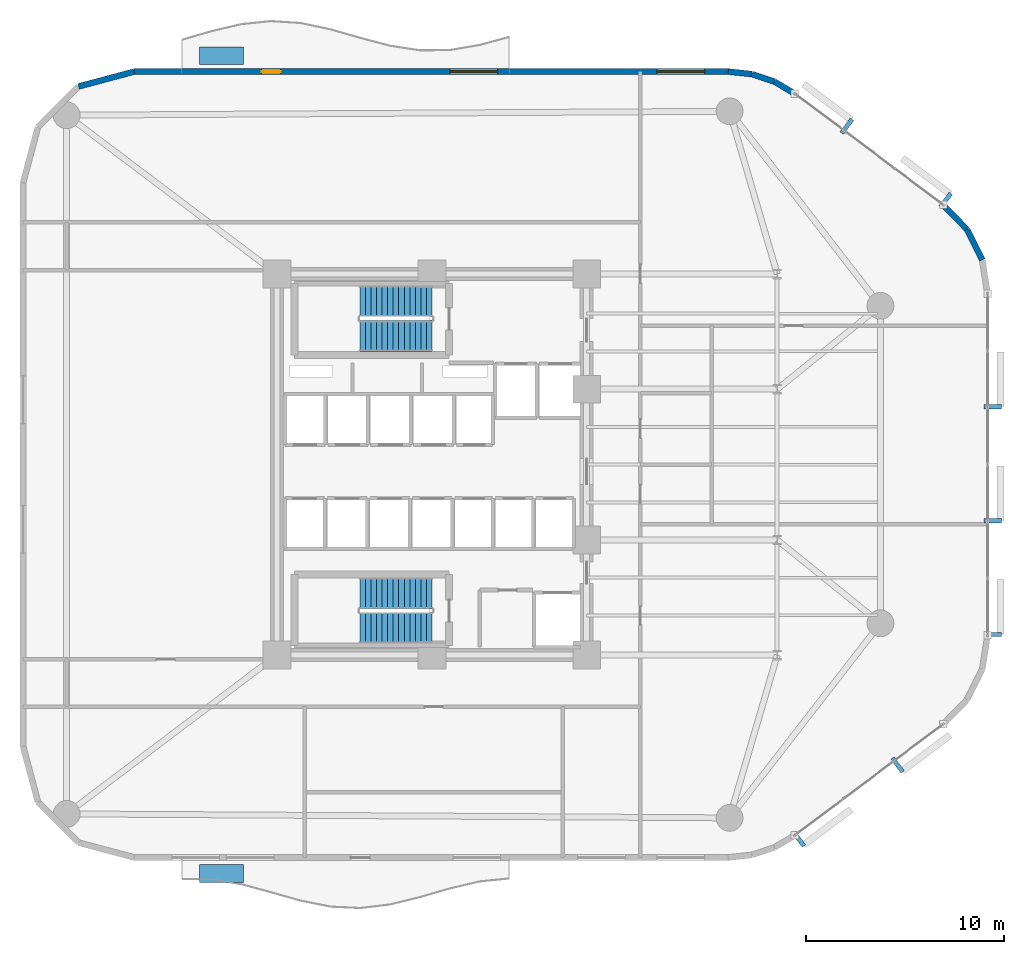
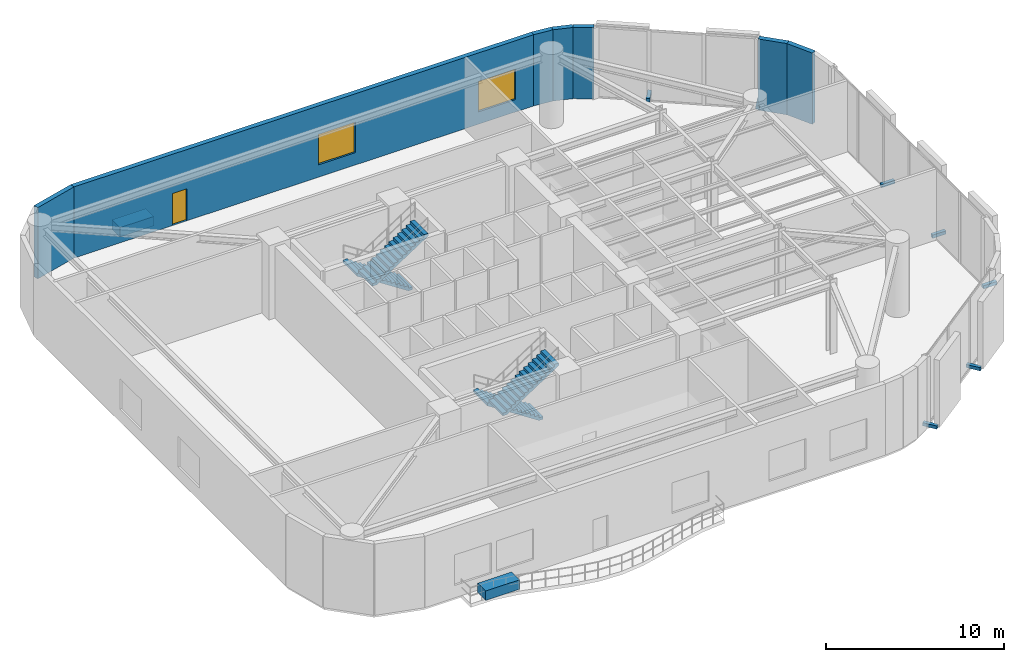
# One storey, part 12 of 14: 9 discrete accessories, 7 walls, 4 stair flights, 2 windows, 1 door, 3 openings, 2 elements without a shape of their own.
"""IFC4 building model written with IfcOpenShell, lengths in metres."""

import ifcopenshell
import ifcopenshell.guid

model = None  # the IFC model being written
_history = None  # IfcOwnerHistory: only IFC2X3 demands one
_inside = {}  # id of a spatial element -> (the spatial element, [elements in it])
_under = {}  # id of a project, library or spatial element -> (it, [spatial elements below it])
_declared = {}  # id of a project -> (the project, [libraries it declares])
_typed = {}  # id of a type object -> (the type object, [elements of that type])
_made_of = {}  # id of a material, layer set ... -> (it, [elements and type objects made of it])


def new_model(schema):
    """Start an empty IFC model of exactly this schema.

    Asked for "IFC4X3", IfcOpenShell would pick the latest addendum, in which some entities
    have other attributes; the version numbers below select the first issue.
    IFC2X3 requires an IfcOwnerHistory on every rooted entity: one is made here for all.
    """
    global model, _history
    if schema == "IFC4X3":
        model = ifcopenshell.file(schema_version=(4, 3, 0, 0))
    else:
        model = ifcopenshell.file(schema=schema)
    _inside.clear()
    _under.clear()
    _declared.clear()
    _typed.clear()
    _made_of.clear()
    _history = None
    if model.schema == "IFC2X3":
        org = make("IfcOrganization", Name="unknown")
        user = make(
            "IfcPersonAndOrganization",
            ThePerson=make("IfcPerson", FamilyName="unknown"),
            TheOrganization=org,
        )
        app = make(
            "IfcApplication",
            ApplicationDeveloper=org,
            Version="unknown",
            ApplicationFullName="unknown",
            ApplicationIdentifier="unknown",
        )
        _history = make(
            "IfcOwnerHistory",
            OwningUser=user,
            OwningApplication=app,
            ChangeAction="ADDED",
            CreationDate=0,
        )
    return model


def make(cls, **values):
    """One entity of the class cls with the attributes given. An attribute that is None is left unset."""
    return model.create_entity(
        cls, **{name: value for name, value in values.items() if value is not None}
    )


def rooted(cls, **values):
    """An entity with a GlobalId (a new one), such as an element, a storey or a relation."""
    return make(cls, GlobalId=ifcopenshell.guid.new(), OwnerHistory=_history, **values)


def si_unit(unit_type, name, prefix=None):
    """IfcSIUnit, for example si_unit("LENGTHUNIT", "METRE", prefix="MILLI")."""
    return make("IfcSIUnit", UnitType=unit_type, Prefix=prefix, Name=name)


def assignment(units):
    """IfcUnitAssignment: the units of a project."""
    return None if units is None else make("IfcUnitAssignment", Units=units)


def point(xyz):
    """IfcCartesianPoint."""
    return None if xyz is None else make("IfcCartesianPoint", Coordinates=xyz)


def direction(xyz):
    """IfcDirection."""
    return None if xyz is None else make("IfcDirection", DirectionRatios=xyz)


def frame(location, z_axis=None, x_axis=None):
    """IfcAxis2Placement3D, a coordinate frame: its origin and axes. An axis left out is left unset."""
    return make(
        "IfcAxis2Placement3D",
        Location=point(location),
        Axis=direction(z_axis),
        RefDirection=direction(x_axis),
    )


def frame_2d(location, x_axis=None):
    """IfcAxis2Placement2D, a coordinate frame in the plane: its origin and x axis."""
    return make(
        "IfcAxis2Placement2D", Location=point(location), RefDirection=direction(x_axis)
    )


def origin():
    """The frame at (0, 0, 0) with its axes left unset."""
    return frame((0.0, 0.0, 0.0))


def origin_2d():
    """The frame at (0, 0) in the plane with its x axis left unset."""
    return frame_2d((0.0, 0.0))


def place(relative_to, where):
    """IfcLocalPlacement: puts the frame where relative to a parent placement (None: the world)."""
    return make(
        "IfcLocalPlacement", PlacementRelTo=relative_to, RelativePlacement=where
    )


def context(
    kind, dimensions, precision=None, world=None, true_north=None, identifier=None
):
    """IfcGeometricRepresentationContext, for example the 3D "Model" context."""
    return make(
        "IfcGeometricRepresentationContext",
        ContextIdentifier=identifier,
        ContextType=kind,
        CoordinateSpaceDimension=dimensions,
        Precision=precision,
        WorldCoordinateSystem=world,
        TrueNorth=true_north,
    )


def subcontext(parent, identifier, kind, view, scale=None):
    """IfcGeometricRepresentationSubContext, for example "Body" below "Model"."""
    return make(
        "IfcGeometricRepresentationSubContext",
        ContextIdentifier=identifier,
        ContextType=kind,
        ParentContext=parent,
        TargetScale=scale,
        TargetView=view,
    )


def project(units=None, contexts=None):
    """IfcProject with its units and contexts."""
    return rooted(
        "IfcProject",
        Name="project",
        RepresentationContexts=contexts,
        UnitsInContext=assignment(units),
    )


def spatial(cls, under=None, at=None, **own):
    """A site, building, storey or space (cls), placed at a placement, below another one or the project."""
    s = rooted(cls, ObjectPlacement=at, **own)
    if under is not None:
        _under.setdefault(under.id(), (under, []))[1].append(s)
    return s


def polyline(points):
    """IfcPolyline through the points."""
    return make("IfcPolyline", Points=[point(p) for p in points])


def profile(cls, at=None, kind="AREA", **sizes):
    """A parametric profile (cls). Its sizes go by their IFC names, for example OverallWidth=200.0."""
    return make(cls, ProfileType=kind, Position=at, **sizes)


def rectangle(**sizes):
    """IfcRectangleProfileDef."""
    return profile("IfcRectangleProfileDef", **sizes)


def outline(outer, holes=None, kind="AREA"):
    """IfcArbitraryClosedProfileDef: a profile drawn as a closed curve; with holes, ...WithVoids."""
    if holes is None:
        return make("IfcArbitraryClosedProfileDef", ProfileType=kind, OuterCurve=outer)
    return make(
        "IfcArbitraryProfileDefWithVoids",
        ProfileType=kind,
        OuterCurve=outer,
        InnerCurves=holes,
    )


def extrude(swept, where, along, depth):
    """IfcExtrudedAreaSolid: the profile swept, set in the frame where, extruded along a direction by depth."""
    return make(
        "IfcExtrudedAreaSolid",
        SweptArea=swept,
        Position=where,
        ExtrudedDirection=direction(along),
        Depth=depth,
    )


def shape(context_of_items, identifier, shape_type, items):
    """IfcShapeRepresentation: the items that make up one representation, for example the "Body"."""
    return make(
        "IfcShapeRepresentation",
        ContextOfItems=context_of_items,
        RepresentationIdentifier=identifier,
        RepresentationType=shape_type,
        Items=items,
    )


def material(Name=None, Category=None):
    """IfcMaterial."""
    return make("IfcMaterial", Name=Name, Category=Category)


def layer(
    of_material, thickness, ventilated=None, Name=None, Category=None, Priority=None
):
    """IfcMaterialLayer: one layer of a wall or slab, of a material (None: an air gap)."""
    return make(
        "IfcMaterialLayer",
        Material=of_material,
        LayerThickness=thickness,
        IsVentilated=ventilated,
        Name=Name,
        Category=Category,
        Priority=Priority,
    )


def layer_set(layers, Name=None):
    """IfcMaterialLayerSet."""
    return make("IfcMaterialLayerSet", MaterialLayers=layers, LayerSetName=Name)


def made_of(thing, what):
    """Note that an element or type object is made of a material, layer set ...; save() writes the relation."""
    if what is not None:
        _made_of.setdefault(what.id(), (what, []))[1].append(thing)
    return thing


def type_object(cls, material=None, **own):
    """A type object (cls), such as IfcWallType, which elements share."""
    return made_of(rooted(cls, **own), material)


def element(
    cls,
    number,
    at=None,
    inside=None,
    cuts=None,
    type_object=None,
    material=None,
    context=None,
    identifier="Body",
    shape_type=None,
    held_by="IfcProductDefinitionShape",
    body=None,
    shapes=None,
    **own,
):
    """One element of the class cls, such as IfcWall. Its Tag is "e" and its number.

    at: its placement. inside: the storey or other place that contains it. cuts: it is an
    opening in that element (IfcRelVoidsElement). A single representation is given by context,
    identifier, shape_type and body (its items); several are given by shapes. held_by: the class
    of the entity that holds the representations. save() writes the other relations.
    """
    e = rooted(cls, Tag="e%d" % number, ObjectPlacement=at, **own)
    if body is not None:
        shapes = [shape(context, identifier, shape_type, body)]
    if shapes is not None:
        e.Representation = make(held_by, Representations=shapes)
    if inside is not None:
        _inside.setdefault(inside.id(), (inside, []))[1].append(e)
    if cuts is not None:
        rooted(
            "IfcRelVoidsElement", RelatingBuildingElement=cuts, RelatedOpeningElement=e
        )
    if type_object is not None:
        _typed.setdefault(type_object.id(), (type_object, []))[1].append(e)
    return made_of(e, material)


def fill(opening, filler):
    """IfcRelFillsElement: the door or window that sits in an opening."""
    return rooted(
        "IfcRelFillsElement",
        RelatingOpeningElement=opening,
        RelatedBuildingElement=filler,
    )


def aggregate(whole, parts):
    """IfcRelAggregates: a whole, such as a stair, and the parts it consists of."""
    return rooted("IfcRelAggregates", RelatingObject=whole, RelatedObjects=parts)


def save(model, path):
    """Write the relations noted so far, then the file.

    IfcRelAggregates (storeys below a building ...), IfcRelContainedInSpatialStructure (elements
    in a storey), IfcRelDefinesByType, IfcRelAssociatesMaterial and IfcRelDeclares: one each for
    every whole, place, type object, material and project.
    """
    for whole, parts in _under.values():
        aggregate(whole, parts)
    for where, things in _inside.values():
        rooted(
            "IfcRelContainedInSpatialStructure",
            RelatedElements=things,
            RelatingStructure=where,
        )
    for kind, things in _typed.values():
        rooted("IfcRelDefinesByType", RelatedObjects=things, RelatingType=kind)
    for what, things in _made_of.values():
        rooted("IfcRelAssociatesMaterial", RelatedObjects=things, RelatingMaterial=what)
    for by, libraries in _declared.values():
        rooted("IfcRelDeclares", RelatingContext=by, RelatedDefinitions=libraries)
    model.write(path)


model = new_model("IFC4")

# Units and contexts
model_context = context("Model", 3, precision=1e-05, world=origin(), true_north=direction((0.0, 1.0)))
body_context = subcontext(model_context, "Body", "Model", "MODEL_VIEW")
ifc_project = project(units=[si_unit("LENGTHUNIT", "METRE"), si_unit("AREAUNIT", "SQUARE_METRE"), si_unit("VOLUMEUNIT", "CUBIC_METRE"), si_unit("PLANEANGLEUNIT", "RADIAN"), si_unit("MASSUNIT", "GRAM", prefix="KILO")], contexts=[model_context])

# Site, building, storey
site_placement = place(None, origin())
site = spatial("IfcSite", under=ifc_project, at=site_placement, CompositionType="ELEMENT")
building_placement = place(site_placement, origin())
building = spatial("IfcBuilding", under=site, at=building_placement, Name="An Khanh Terracotta Commons", CompositionType="ELEMENT")
storey_placement = place(building_placement, frame((0.0, 0.0, 81.199951171875)))
storey = spatial("IfcBuildingStorey", under=building, at=storey_placement, Name="L21", CompositionType="ELEMENT", Elevation=81.199951171875)

# Walls
ifc_material_1 = material(Name="Precast concrete C40/50", Category="concrete")
ifc_layer = layer(ifc_material_1, 0.300048828125, Name="Precast concrete C40/50")
ifc_layer_set = layer_set([ifc_layer], Name="Precast concrete C40/50")
wall_type = type_object("IfcWallType", Name="WALL-EXT-300", PredefinedType="SOLIDWALL", material=ifc_layer_set)
for number, where, z_axis, x_axis, name in (
    (1, (57.135009765625, 34.303955078125, 0.0), (0.0, 0.0, 1.0), (-0.4472135955, 0.894427191, 0.0), "L21 Insulated Terracotta Exterior Wall 14"),
    (2, (56.364013671875, 35.845947265625, 0.0), (0.0, 0.0, 1.0), (-0.6983450845, 0.715761233201, 0.0), "L21 Insulated Terracotta Exterior Wall 15"),
):
    element("IfcWall", number, at=place(storey_placement, frame(where, z_axis=z_axis, x_axis=x_axis)), inside=storey, type_object=wall_type, Name=name, PredefinedType="SOLIDWALL", context=body_context, shape_type="SweptSolid", body=[
        extrude(rectangle(XDim=1.72412109375, YDim=0.300048828125, at=frame_2d((0.862060546875, 0.0))), origin(), (0.0, 0.0, 1.0), 4.900146484375),
    ])
wall_1_placement = place(storey_placement, frame((47.693115234375, 42.679931640625, 0.0), z_axis=(0.0, 0.0, 1.0), x_axis=(-0.859320591642, 0.511437308749, 0.0)))
element("IfcWall", 3, at=wall_1_placement, inside=storey, type_object=wall_type, Name="L21 Insulated Terracotta Exterior Wall 17", PredefinedType="SOLIDWALL", context=body_context, shape_type="SweptSolid", body=[
    extrude(rectangle(XDim=1.19873046875, YDim=0.300048828125, at=frame_2d((0.599365234375, 0.0))), origin(), (0.0, 0.0, 1.0), 4.900146484375),
])
wall_2_placement = place(storey_placement, frame((46.6630859375, 43.29296875, 0.0), z_axis=(0.0, 0.0, 1.0), x_axis=(-0.948744332129, 0.316044604847, 0.0)))
element("IfcWall", 4, at=wall_2_placement, inside=storey, type_object=wall_type, Name="L21 Insulated Terracotta Exterior Wall 18", PredefinedType="SOLIDWALL", context=body_context, shape_type="SweptSolid", body=[
    extrude(rectangle(XDim=1.19970703125, YDim=0.300048828125, at=frame_2d((0.599853515625, 0.0))), origin(), (0.0, 0.0, 1.0), 4.900146484375),
])
wall_3_placement = place(storey_placement, frame((45.52490234375, 43.672119140625, 0.0), z_axis=(0.0, 0.0, 1.0), x_axis=(-0.994289103787, 0.106720092254, 0.0)))
element("IfcWall", 5, at=wall_3_placement, inside=storey, type_object=wall_type, Name="L21 Insulated Terracotta Exterior Wall 19", PredefinedType="SOLIDWALL", context=body_context, shape_type="SweptSolid", body=[
    extrude(rectangle(XDim=1.19873046875, YDim=0.300048828125, at=frame_2d((0.599365234375, 0.0))), origin(), (0.0, 0.0, 1.0), 4.900146484375),
])

# Wall, openings, door, windows
wall_4_placement = place(storey_placement, frame((44.3330078125, 43.800048828125, 0.0), z_axis=(0.0, 0.0, 1.0), x_axis=(-1.0, 0.0, 0.0)))
wall_4 = element("IfcWall", 6, at=wall_4_placement, inside=storey, type_object=wall_type, Name="L21 Insulated Terracotta Exterior Wall 20", PredefinedType="SOLIDWALL", context=body_context, shape_type="SweptSolid", body=[
    extrude(rectangle(XDim=29.93310546875, YDim=0.300048828125, at=frame_2d((14.966552734375, 0.0))), origin(), (0.0, 0.0, 1.0), 4.900146484375),
])
opening_1_placement = place(wall_4_placement, frame((22.55810546875, 0.0, 0.0)))
opening_1 = element("IfcOpeningElement", 7, at=opening_1_placement, cuts=wall_4, Name="Opening D-BAL", PredefinedType="OPENING", context=body_context, shape_type="SweptSolid", body=[
    extrude(rectangle(XDim=0.949951171875, YDim=2.199951171875, at=frame_2d((0.47509765625, 1.10009765625))), frame((0.0, 0.159912109375, 0.0), z_axis=(0.0, -1.0, 0.0), x_axis=(1.0, 0.0, 0.0)), (0.0, 0.0, 1.0), 0.320068359375),
])
opening_2_placement = place(wall_4_placement, frame((1.19189453125, 0.0, 0.85009765625)))
opening_2 = element("IfcOpeningElement", 8, at=opening_2_placement, cuts=wall_4, Name="Opening W-07", PredefinedType="OPENING", context=body_context, shape_type="SweptSolid", body=[
    extrude(rectangle(XDim=2.39990234375, YDim=2.10009765625, at=frame_2d((1.199951171875, 1.050048828125))), frame((0.0, 0.159912109375, 0.0), z_axis=(0.0, -1.0, 0.0), x_axis=(1.0, 0.0, 0.0)), (0.0, 0.0, 1.0), 0.320068359375),
])
opening_3_placement = place(wall_4_placement, frame((11.615966796875, 0.0, 0.85009765625)))
opening_3 = element("IfcOpeningElement", 9, at=opening_3_placement, cuts=wall_4, Name="Opening W-07", PredefinedType="OPENING", context=body_context, shape_type="SweptSolid", body=[
    extrude(rectangle(XDim=2.39990234375, YDim=2.10009765625, at=frame_2d((1.199951171875, 1.050048828125))), frame((0.0, 0.159912109375, 0.0), z_axis=(0.0, -1.0, 0.0), x_axis=(1.0, 0.0, 0.0)), (0.0, 0.0, 1.0), 0.320068359375),
])
ifc_material_2 = material(Name="Thermally Broken Aluminium and Low-E Glass", Category="aluminium")
door_type = type_object("IfcDoorType", Name="DOOR-BALC-950", OperationType="NOTDEFINED", PredefinedType="DOOR", material=ifc_material_2)
door_placement = place(opening_1_placement, origin())
door = element("IfcDoor", 10, at=door_placement, inside=storey, type_object=door_type, Name="L21 N Wave Balcony Glazed Door", OperationType="SINGLE_SWING_RIGHT", OverallHeight=2.199951171875, OverallWidth=0.949951171875, PredefinedType="DOOR", context=body_context, shape_type="SweptSolid", body=[
    extrude(rectangle(XDim=0.949951171875, YDim=2.199951171875, at=frame_2d((0.47509765625, 1.10009765625))), frame((0.0, 0.02490234375, 0.0), z_axis=(0.0, -1.0, 0.0), x_axis=(1.0, 0.0, 0.0)), (0.0, 0.0, 1.0), 0.050048828125),
])
fill(opening_1, door)
window_type = type_object("IfcWindowType", Name="WIN-SKY-2400x2100", PartitioningType="TRIPLE_PANEL_VERTICAL", PredefinedType="WINDOW", material=ifc_material_2)
window_1_placement = place(opening_2_placement, origin())
window_1 = element("IfcWindow", 11, at=window_1_placement, inside=storey, type_object=window_type, Name="L21 Operable Casement Window 20.1", OverallHeight=2.10009765625, OverallWidth=2.39990234375, PartitioningType="TRIPLE_PANEL_VERTICAL", PredefinedType="WINDOW", context=body_context, shape_type="SweptSolid", body=[
    extrude(rectangle(XDim=2.39990234375, YDim=2.10009765625, at=frame_2d((1.199951171875, 1.050048828125))), frame((0.0, 0.030029296875, 0.0), z_axis=(0.0, -1.0, 0.0), x_axis=(1.0, 0.0, 0.0)), (0.0, 0.0, 1.0), 0.06005859375),
])
fill(opening_2, window_1)
window_2_placement = place(opening_3_placement, origin())
window_2 = element("IfcWindow", 12, at=window_2_placement, inside=storey, type_object=window_type, Name="L21 Operable Casement Window 20.2", OverallHeight=2.10009765625, OverallWidth=2.39990234375, PartitioningType="TRIPLE_PANEL_VERTICAL", PredefinedType="WINDOW", context=body_context, shape_type="SweptSolid", body=[
    extrude(rectangle(XDim=2.39990234375, YDim=2.10009765625, at=frame_2d((1.199951171875, 1.050048828125))), frame((0.0, 0.030029296875, 0.0), z_axis=(0.0, -1.0, 0.0), x_axis=(1.0, 0.0, 0.0)), (0.0, 0.0, 1.0), 0.06005859375),
])
fill(opening_3, window_2)

# Wall
wall_5_placement = place(storey_placement, frame((14.39990234375, 43.800048828125, 0.0), z_axis=(0.0, 0.0, 1.0), x_axis=(-0.965943540406, -0.258752926066, 0.0)))
element("IfcWall", 13, at=wall_5_placement, inside=storey, type_object=wall_type, Name="L21 Insulated Terracotta Exterior Wall 21", PredefinedType="SOLIDWALL", context=body_context, shape_type="SweptSolid", body=[
    extrude(rectangle(XDim=2.8984375, YDim=0.300048828125, at=frame_2d((1.44921875, 0.0))), origin(), (0.0, 0.0, 1.0), 4.900146484375),
])

# Stair, stair flights
stair_type = type_object("IfcStairType", Name="STAIR-CORE-1550", PredefinedType="HALF_TURN_STAIR", material=ifc_material_1)
stair_1_placement = place(storey_placement, origin())
stair_1 = element("IfcStair", 14, at=stair_1_placement, inside=storey, type_object=stair_type, Name="L21 Core Smokeproof Exit Stair ST-01", PredefinedType="HALF_TURN_STAIR")
stair_flight_type = type_object("IfcStairFlightType", Name="FLIGHT-CORE-1550", PredefinedType="STRAIGHT", material=ifc_material_1)
stair_flight_1_placement = place(storey_placement, frame((29.409912109375, 32.22509765625, 0.0), z_axis=(0.0, 0.0, 1.0), x_axis=(-1.0, 0.0, 0.0)))
stair_flight_1 = element("IfcStairFlight", 15, at=stair_flight_1_placement, type_object=stair_flight_type, Name="ST-01 flight 1", NumberOfRisers=14, NumberOfTreads=13, PredefinedType="STRAIGHT", RiserHeight=0.182142857, TreadLength=0.28, context=body_context, shape_type="SweptSolid", body=[
    extrude(outline(polyline([(0.0, 0.0), (0.0, 0.18212890625), (0.280029296875, 0.18212890625), (0.280029296875, 0.3642578125), (0.56005859375, 0.3642578125), (0.56005859375, 0.54638671875), (0.840087890625, 0.54638671875), (0.840087890625, 0.728515625), (1.1201171875, 0.728515625), (1.1201171875, 0.91064453125), (1.39990234375, 0.91064453125), (1.39990234375, 1.0927734375), (1.679931640625, 1.0927734375), (1.679931640625, 1.27490234375), (1.9599609375, 1.27490234375), (1.9599609375, 1.45703125), (2.239990234375, 1.45703125), (2.239990234375, 1.639404296875), (2.52001953125, 1.639404296875), (2.52001953125, 1.821533203125), (2.800048828125, 1.821533203125), (2.800048828125, 2.003662109375), (3.080078125, 2.003662109375), (3.080078125, 2.185791015625), (3.360107421875, 2.185791015625), (3.360107421875, 2.367919921875), (3.639892578125, 2.367919921875), (3.639892578125, 2.550048828125), (3.639892578125, 2.18896484375), (0.27490234375, 0.0), (0.0, 0.0)])), frame((0.0, 0.77490234375, 0.0), z_axis=(0.0, -1.0, 0.0), x_axis=(1.0, 0.0, 0.0)), (0.0, 0.0, 1.0), 1.550048828125),
])
stair_flight_2_placement = place(storey_placement, frame((25.77001953125, 30.47509765625, 2.550048828125), z_axis=(0.0, 0.0, 1.0), x_axis=(1.0, 0.0, 0.0)))
stair_flight_2 = element("IfcStairFlight", 16, at=stair_flight_2_placement, type_object=stair_flight_type, Name="ST-01 flight 2", NumberOfRisers=14, NumberOfTreads=13, PredefinedType="STRAIGHT", RiserHeight=0.182142857, TreadLength=0.28, context=body_context, shape_type="SweptSolid", body=[
    extrude(outline(polyline([(0.0, 0.0), (0.0, 0.18212890625), (0.280029296875, 0.18212890625), (0.280029296875, 0.3642578125), (0.56005859375, 0.3642578125), (0.56005859375, 0.54638671875), (0.840087890625, 0.54638671875), (0.840087890625, 0.728515625), (1.1201171875, 0.728515625), (1.1201171875, 0.91064453125), (1.39990234375, 0.91064453125), (1.39990234375, 1.0927734375), (1.679931640625, 1.0927734375), (1.679931640625, 1.27490234375), (1.9599609375, 1.27490234375), (1.9599609375, 1.45703125), (2.239990234375, 1.45703125), (2.239990234375, 1.639404296875), (2.52001953125, 1.639404296875), (2.52001953125, 1.821533203125), (2.800048828125, 1.821533203125), (2.800048828125, 2.003662109375), (3.080078125, 2.003662109375), (3.080078125, 2.185791015625), (3.360107421875, 2.185791015625), (3.360107421875, 2.367919921875), (3.639892578125, 2.367919921875), (3.639892578125, 2.550048828125), (3.639892578125, 2.18896484375), (0.27490234375, 0.0), (0.0, 0.0)])), frame((0.0, 0.77490234375, 0.0), z_axis=(0.0, -1.0, 0.0), x_axis=(1.0, 0.0, 0.0)), (0.0, 0.0, 1.0), 1.550048828125),
])
aggregate(stair_1, [stair_flight_1, stair_flight_2])

stair_2_placement = place(storey_placement, origin())
stair_2 = element("IfcStair", 17, at=stair_2_placement, inside=storey, type_object=stair_type, Name="L21 Core Smokeproof Exit Stair ST-02", PredefinedType="HALF_TURN_STAIR")
stair_flight_3_placement = place(storey_placement, frame((29.409912109375, 17.52490234375, 0.0), z_axis=(0.0, 0.0, 1.0), x_axis=(-1.0, 0.0, 0.0)))
stair_flight_3 = element("IfcStairFlight", 18, at=stair_flight_3_placement, type_object=stair_flight_type, Name="ST-02 flight 1", NumberOfRisers=14, NumberOfTreads=13, PredefinedType="STRAIGHT", RiserHeight=0.182142857, TreadLength=0.28, context=body_context, shape_type="SweptSolid", body=[
    extrude(outline(polyline([(0.0, 0.0), (0.0, 0.18212890625), (0.280029296875, 0.18212890625), (0.280029296875, 0.3642578125), (0.56005859375, 0.3642578125), (0.56005859375, 0.54638671875), (0.840087890625, 0.54638671875), (0.840087890625, 0.728515625), (1.1201171875, 0.728515625), (1.1201171875, 0.91064453125), (1.39990234375, 0.91064453125), (1.39990234375, 1.0927734375), (1.679931640625, 1.0927734375), (1.679931640625, 1.27490234375), (1.9599609375, 1.27490234375), (1.9599609375, 1.45703125), (2.239990234375, 1.45703125), (2.239990234375, 1.639404296875), (2.52001953125, 1.639404296875), (2.52001953125, 1.821533203125), (2.800048828125, 1.821533203125), (2.800048828125, 2.003662109375), (3.080078125, 2.003662109375), (3.080078125, 2.185791015625), (3.360107421875, 2.185791015625), (3.360107421875, 2.367919921875), (3.639892578125, 2.367919921875), (3.639892578125, 2.550048828125), (3.639892578125, 2.18896484375), (0.27490234375, 0.0), (0.0, 0.0)])), frame((0.0, 0.77490234375, 0.0), z_axis=(0.0, -1.0, 0.0), x_axis=(1.0, 0.0, 0.0)), (0.0, 0.0, 1.0), 1.550048828125),
])
stair_flight_4_placement = place(storey_placement, frame((25.77001953125, 15.77490234375, 2.550048828125), z_axis=(0.0, 0.0, 1.0), x_axis=(1.0, 0.0, 0.0)))
stair_flight_4 = element("IfcStairFlight", 19, at=stair_flight_4_placement, type_object=stair_flight_type, Name="ST-02 flight 2", NumberOfRisers=14, NumberOfTreads=13, PredefinedType="STRAIGHT", RiserHeight=0.182142857, TreadLength=0.28, context=body_context, shape_type="SweptSolid", body=[
    extrude(outline(polyline([(0.0, 0.0), (0.0, 0.18212890625), (0.280029296875, 0.18212890625), (0.280029296875, 0.3642578125), (0.56005859375, 0.3642578125), (0.56005859375, 0.54638671875), (0.840087890625, 0.54638671875), (0.840087890625, 0.728515625), (1.1201171875, 0.728515625), (1.1201171875, 0.91064453125), (1.39990234375, 0.91064453125), (1.39990234375, 1.0927734375), (1.679931640625, 1.0927734375), (1.679931640625, 1.27490234375), (1.9599609375, 1.27490234375), (1.9599609375, 1.45703125), (2.239990234375, 1.45703125), (2.239990234375, 1.639404296875), (2.52001953125, 1.639404296875), (2.52001953125, 1.821533203125), (2.800048828125, 1.821533203125), (2.800048828125, 2.003662109375), (3.080078125, 2.003662109375), (3.080078125, 2.185791015625), (3.360107421875, 2.185791015625), (3.360107421875, 2.367919921875), (3.639892578125, 2.367919921875), (3.639892578125, 2.550048828125), (3.639892578125, 2.18896484375), (0.27490234375, 0.0), (0.0, 0.0)])), frame((0.0, 0.77490234375, 0.0), z_axis=(0.0, -1.0, 0.0), x_axis=(1.0, 0.0, 0.0)), (0.0, 0.0, 1.0), 1.550048828125),
])
aggregate(stair_2, [stair_flight_3, stair_flight_4])

# Discrete accessories
ifc_material_3 = material(Name="Stainless Steel Grade 316L", Category="steel")
discrete_accessory_type_1 = type_object("IfcDiscreteAccessoryType", Name="Stainless Outrigger Facade Bracket", PredefinedType="BRACKET", material=ifc_material_3)
for number, where, z_axis, x_axis, name in (
    (20, (47.884033203125, 5.132080078125, 0.06982421875), (0.0, 0.0, 1.0), (0.800012856594, 0.599982857492, 0.0), "L21 Terracotta Screen Outrigger Bracket 1"),
    (21, (52.862060546875, 8.864990234375, 0.06982421875), (0.0, 0.0, 1.0), (0.800012856594, 0.599982857492, 0.0), "L21 Terracotta Screen Outrigger Bracket 3"),
    (22, (57.6650390625, 15.43994140625, 0.06982421875), (0.0, 0.0, 1.0), (0.0, 1.0, 0.0), "L21 Terracotta Screen Outrigger Bracket 1"),
    (23, (57.6650390625, 21.173095703125, 0.06982421875), (0.0, 0.0, 1.0), (0.0, 1.0, 0.0), "L21 Terracotta Screen Outrigger Bracket 3"),
    (24, (57.6650390625, 26.906982421875, 0.06982421875), (0.0, 0.0, 1.0), (0.0, 1.0, 0.0), "L21 Terracotta Screen Outrigger Bracket 5"),
    (25, (55.287109375, 37.31591796875, 0.06982421875), (0.0, 0.0, 1.0), (-0.800012856594, 0.599982857492, 0.0), "L21 Terracotta Screen Outrigger Bracket 1"),
    (26, (50.30908203125, 41.049072265625, 0.06982421875), (0.0, 0.0, 1.0), (-0.800012856594, 0.599982857492, 0.0), "L21 Terracotta Screen Outrigger Bracket 3"),
):
    element("IfcDiscreteAccessory", number, at=place(storey_placement, frame(where, z_axis=z_axis, x_axis=x_axis)), inside=storey, type_object=discrete_accessory_type_1, Name=name, PredefinedType="BRACKET", context=body_context, shape_type="SweptSolid", body=[
        extrude(rectangle(XDim=0.219970703125, YDim=0.8701171875, at=origin_2d()), origin(), (0.0, 0.0, 1.0), 0.219970703125),
    ])
ifc_material_4 = material(Name="Planted Garden Soil Substrate in Precast GRC", Category="concrete")
discrete_accessory_type_2 = type_object("IfcDiscreteAccessoryType", Name="Terrace Garden Planter", PredefinedType="USERDEFINED", material=ifc_material_4)
for number, where, z_axis, x_axis, name in (
    (27, (18.800048828125, 3.39990234375, 0.0), (0.0, 0.0, 1.0), (1.0, 0.0, 0.0), "L21 S Sky Balcony Planter"),
    (28, (18.800048828125, 44.60009765625, 0.0), (0.0, 0.0, 1.0), (1.0, 0.0, 0.0), "L21 N Sky Balcony Planter"),
):
    element("IfcDiscreteAccessory", number, at=place(storey_placement, frame(where, z_axis=z_axis, x_axis=x_axis)), inside=storey, type_object=discrete_accessory_type_2, Name=name, ObjectType="PLANTER", PredefinedType="USERDEFINED", context=body_context, shape_type="SweptSolid", body=[
        extrude(rectangle(XDim=2.199951171875, YDim=0.89990234375, at=origin_2d()), origin(), (0.0, 0.0, 1.0), 0.64990234375),
    ])

save(model, "model.ifc")
